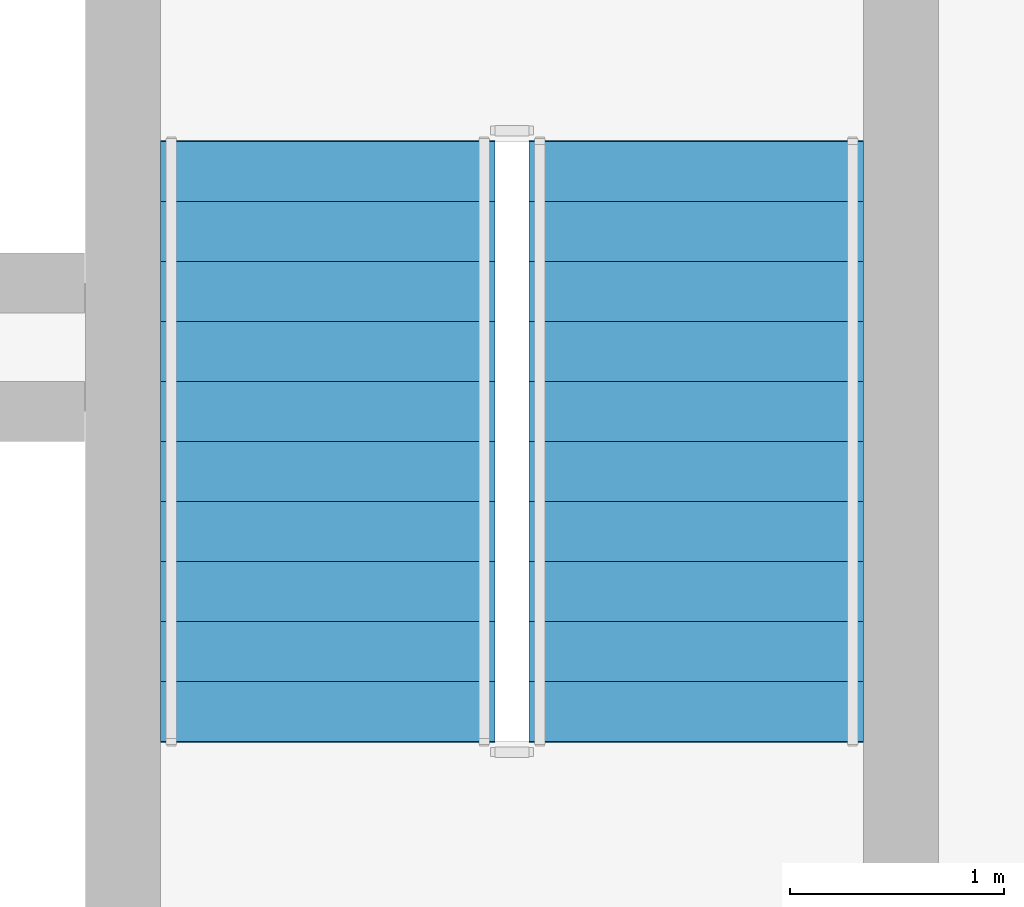
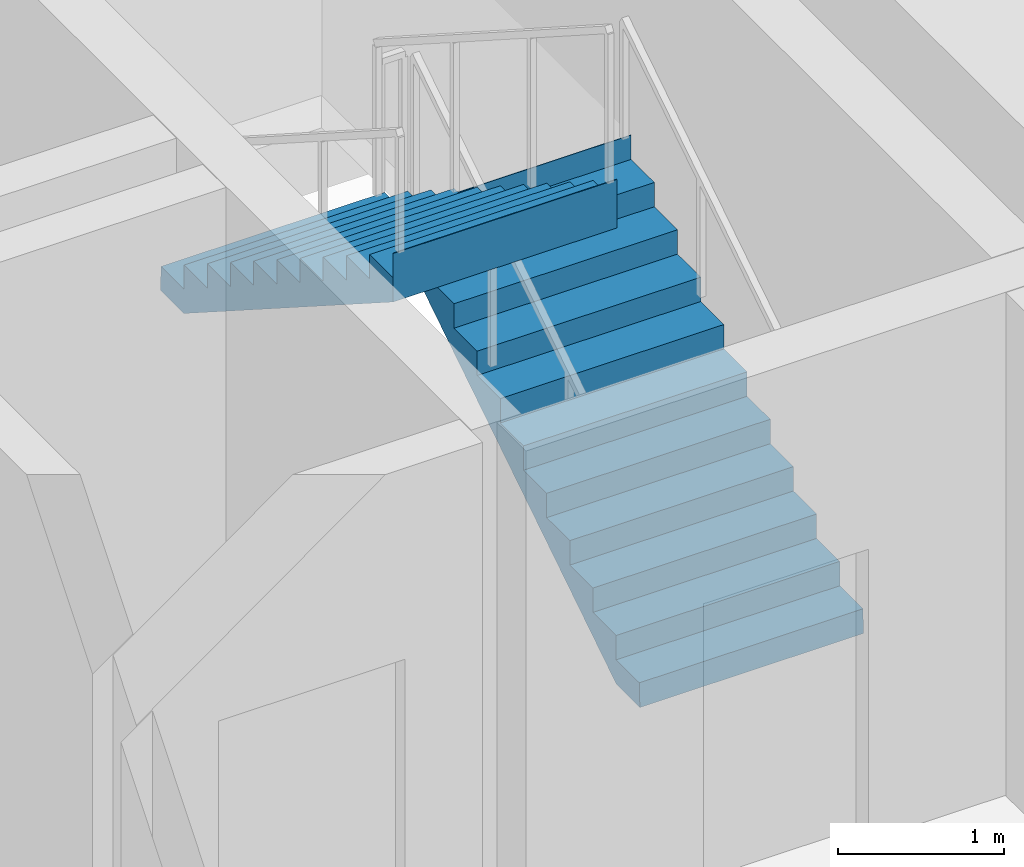
# One storey, part 8 of 11: 2 stair flights, 1 element without a shape of its own.
"""IFC4 building model written with IfcOpenShell, lengths in metres."""

from ifc_helpers import new_model, si_unit, direction, frame, origin, place, context, subcontext, project, spatial, polyline, outline, extrude, material, type_object, element, aggregate, save


model = new_model("IFC4")

# Units and contexts
model_context = context("Model", 3, precision=1e-05, world=origin(), true_north=direction((0.0, 1.0)))
body_context = subcontext(model_context, "Body", "Model", "MODEL_VIEW")
ifc_project = project(units=[si_unit("LENGTHUNIT", "METRE"), si_unit("AREAUNIT", "SQUARE_METRE"), si_unit("VOLUMEUNIT", "CUBIC_METRE"), si_unit("PLANEANGLEUNIT", "RADIAN"), si_unit("MASSUNIT", "GRAM", prefix="KILO")], contexts=[model_context])

# Site, building, storey
site_placement = place(None, origin())
site = spatial("IfcSite", under=ifc_project, at=site_placement, CompositionType="ELEMENT")
building_placement = place(site_placement, origin())
building = spatial("IfcBuilding", under=site, at=building_placement, Name="Kaelvorn Grand Hotel", CompositionType="ELEMENT")
storey_placement = place(building_placement, frame((0.0, 0.0, 268.64990234375)))
storey = spatial("IfcBuildingStorey", under=building, at=storey_placement, Name="L66", CompositionType="ELEMENT", Elevation=268.64990234375)

# Stair, stair flights
ifc_material = material(Name="Concrete C40/50", Category="concrete")
stair_type = type_object("IfcStairType", Name="STR-DOG-1560-R09", PredefinedType="HALF_TURN_STAIR", material=ifc_material)
stair_placement = place(storey_placement, origin())
stair = element("IfcStair", 1, at=stair_placement, inside=storey, type_object=stair_type, Name="L66 East Core Exit Stair ST3", PredefinedType="HALF_TURN_STAIR")
stair_flight_type = type_object("IfcStairFlightType", Name="FLG-DOG-1560-R09", PredefinedType="STRAIGHT", material=ifc_material)
stair_flight_1_placement = place(storey_placement, frame((65.820068359375, 41.760009765625, 0.0), z_axis=(0.0, 0.0, 1.0), x_axis=(0.0, 1.0, 0.0)))
stair_flight_1 = element("IfcStairFlight", 2, at=stair_flight_1_placement, type_object=stair_flight_type, Name="ST3 flight 1", NumberOfRisers=11, NumberOfTreads=10, PredefinedType="STRAIGHT", RiserHeight=0.179545455, TreadLength=0.28, context=body_context, shape_type="SweptSolid", body=[
    extrude(outline(polyline([(-0.0048828125, 0.0), (-0.0048828125, 0.0400390625), (0.0, 0.179443359375), (0.280029296875, 0.179443359375), (0.280029296875, 0.359130859375), (0.56005859375, 0.359130859375), (0.56005859375, 0.53857421875), (0.840087890625, 0.53857421875), (0.840087890625, 0.71826171875), (1.1201171875, 0.71826171875), (1.1201171875, 0.897705078125), (1.39990234375, 0.897705078125), (1.39990234375, 1.077392578125), (1.679931640625, 1.077392578125), (1.679931640625, 1.2568359375), (1.9599609375, 1.2568359375), (1.9599609375, 1.436279296875), (2.239990234375, 1.436279296875), (2.239990234375, 1.615966796875), (2.52001953125, 1.615966796875), (2.52001953125, 1.79541015625), (2.800048828125, 1.79541015625), (2.800048828125, 1.97509765625), (2.804931640625, 1.97509765625), (2.804931640625, 1.617431640625), (0.277587890625, 0.0), (-0.0048828125, 0.0)])), frame((0.0, 0.780029296875, 0.0), z_axis=(0.0, -1.0, 0.0), x_axis=(1.0, 0.0, 0.0)), (0.0, 0.0, 1.0), 1.56005859375),
])
stair_flight_2_placement = place(storey_placement, frame((64.10009765625, 44.56005859375, 1.97509765625), z_axis=(0.0, 0.0, 1.0), x_axis=(0.0, -1.0, 0.0)))
stair_flight_2 = element("IfcStairFlight", 3, at=stair_flight_2_placement, type_object=stair_flight_type, Name="ST3 flight 2", NumberOfRisers=11, NumberOfTreads=10, PredefinedType="STRAIGHT", RiserHeight=0.179545455, TreadLength=0.28, context=body_context, shape_type="SweptSolid", body=[
    extrude(outline(polyline([(-0.0048828125, 0.0), (-0.0048828125, 0.0400390625), (0.0, 0.179443359375), (0.280029296875, 0.179443359375), (0.280029296875, 0.359130859375), (0.56005859375, 0.359130859375), (0.56005859375, 0.53857421875), (0.840087890625, 0.53857421875), (0.840087890625, 0.71826171875), (1.1201171875, 0.71826171875), (1.1201171875, 0.897705078125), (1.39990234375, 0.897705078125), (1.39990234375, 1.077392578125), (1.679931640625, 1.077392578125), (1.679931640625, 1.2568359375), (1.9599609375, 1.2568359375), (1.9599609375, 1.436279296875), (2.239990234375, 1.436279296875), (2.239990234375, 1.615966796875), (2.52001953125, 1.615966796875), (2.52001953125, 1.79541015625), (2.800048828125, 1.79541015625), (2.800048828125, 1.97509765625), (2.804931640625, 1.97509765625), (2.804931640625, 1.617431640625), (0.277587890625, 0.0), (-0.0048828125, 0.0)])), frame((0.0, 0.780029296875, 0.0), z_axis=(0.0, -1.0, 0.0), x_axis=(1.0, 0.0, 0.0)), (0.0, 0.0, 1.0), 1.56005859375),
])
aggregate(stair, [stair_flight_1, stair_flight_2])

save(model, "model.ifc")
